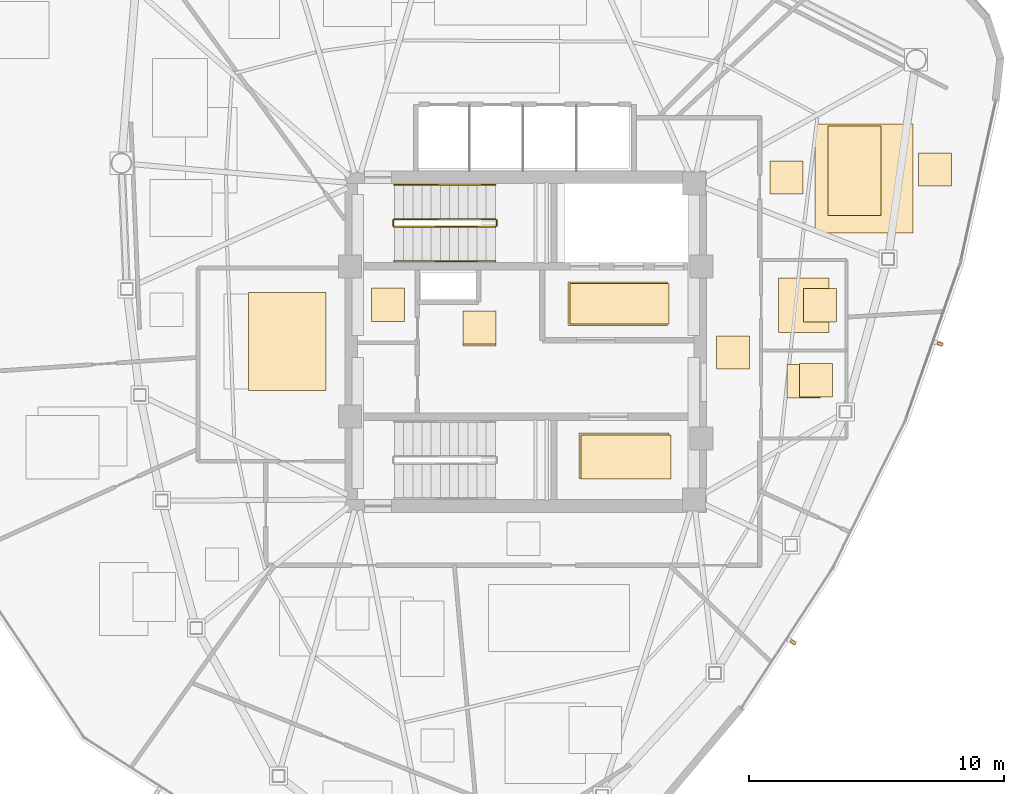
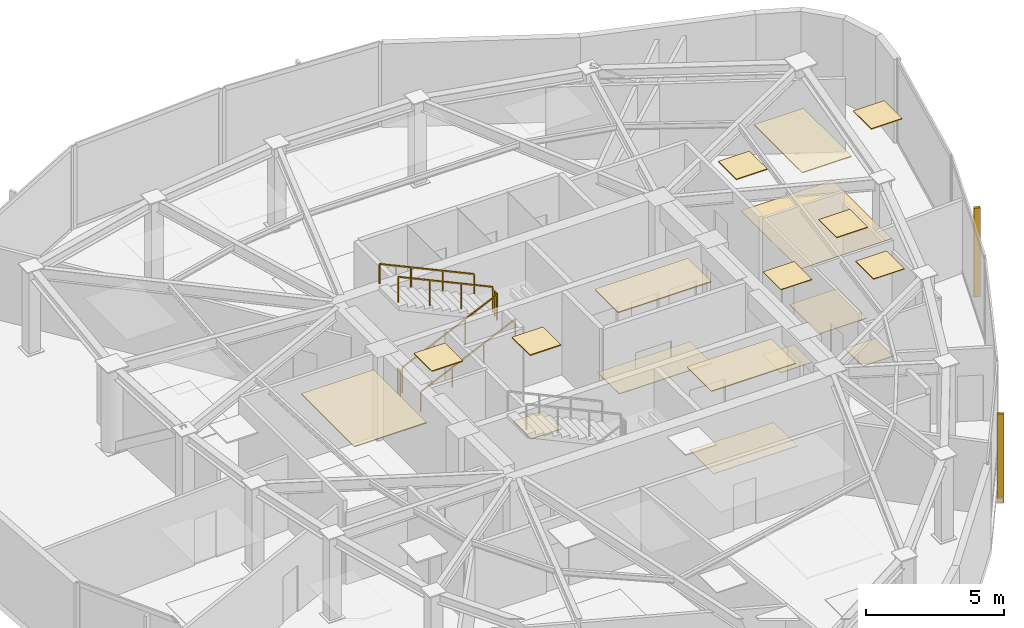
# One storey, part 12 of 13: 18 coverings, 6 railings, 2 shading devices.
"""IFC4 building model written with IfcOpenShell, lengths in metres."""

from ifc_helpers import new_model, si_unit, direction, frame, origin, origin_2d, place, context, subcontext, project, spatial, polyline, rectangle, outline, extrude, source, transform, mapped, material, layer, layer_set, type_object, type_shapes, element, save


model = new_model("IFC4")

# Units and contexts
model_context = context("Model", 3, precision=1e-05, world=origin(), true_north=direction((0.0, 1.0)))
body_context = subcontext(model_context, "Body", "Model", "MODEL_VIEW")
ifc_project = project(units=[si_unit("LENGTHUNIT", "METRE"), si_unit("AREAUNIT", "SQUARE_METRE"), si_unit("VOLUMEUNIT", "CUBIC_METRE"), si_unit("PLANEANGLEUNIT", "RADIAN"), si_unit("MASSUNIT", "GRAM", prefix="KILO")], contexts=[model_context])

# Site, building, storey
site_placement = place(None, origin())
site = spatial("IfcSite", under=ifc_project, at=site_placement, CompositionType="ELEMENT")
building_placement = place(site_placement, origin())
building = spatial("IfcBuilding", under=site, at=building_placement, Name="Tavelor Broadcast Tower", CompositionType="ELEMENT")
storey_placement = place(building_placement, frame((0.0, 0.0, 297.5)))
storey = spatial("IfcBuildingStorey", under=building, at=storey_placement, Name="L71", CompositionType="ELEMENT", Elevation=297.5)

# Coverings
ifc_material_1 = material(Name="Copper-Bronze Anodized Aluminium", Category="aluminium")
ifc_layer_1 = layer(ifc_material_1, 0.044921875)
ifc_layer_set_1 = layer_set([ifc_layer_1], Name="Copper-Bronze Anodized Aluminium")
covering_type_1 = type_object("IfcCoveringType", Name="Anodised Bronze Linear Slatted Concourse Ceiling 45 mm", PredefinedType="CEILING", material=ifc_layer_set_1)
covering_1_placement = place(storey_placement, frame((0.0, 0.0, 3.655029296875)))
element("IfcCovering", 1, at=covering_1_placement, inside=storey, type_object=covering_type_1, Name="L71 Suspended Acoustic Ceiling 2701", PredefinedType="CEILING", context=body_context, shape_type="SweptSolid", body=[
    extrude(outline(polyline([(51.659912109375, 45.6318359375), (55.55712890625, 45.6318359375), (55.55712890625, 47.328125), (51.659912109375, 47.328125), (51.659912109375, 45.6318359375)])), origin(), (0.0, 0.0, 1.0), 0.044921875),
])
covering_2_placement = place(storey_placement, frame((0.0, 0.0, 3.655029296875)))
element("IfcCovering", 2, at=covering_2_placement, inside=storey, type_object=covering_type_1, Name="L71 Suspended Acoustic Ceiling 2703", PredefinedType="CEILING", context=body_context, shape_type="SweptSolid", body=[
    extrude(outline(polyline([(47.5400390625, 44.89794921875), (48.840087890625, 44.89794921875), (48.840087890625, 46.197998046875), (47.5400390625, 46.197998046875), (47.5400390625, 44.89794921875)])), origin(), (0.0, 0.0, 1.0), 0.044921875),
])

# Railings
ifc_material_2 = material(Name="Steel S355", Category="steel")
railing_type_1 = type_object("IfcRailingType", Name="Continuous Brushed Stainless Handrail 900 mm", PredefinedType="HANDRAIL", material=ifc_material_2)
railing_1_placement = place(storey_placement, frame((44.85009765625, 48.14990234375, 0.166748046875)))
element("IfcRailing", 3, at=railing_1_placement, inside=storey, type_object=railing_type_1, Name="L71 ST1 stair handrail 1", PredefinedType="HANDRAIL", context=body_context, shape_type="SweptSolid", body=[
    extrude(rectangle(XDim=0.048095703125, YDim=0.048095703125, at=origin_2d()), frame((0.0, 0.0, 0.8759765625), z_axis=(0.907472437036, 0.0, 0.420111623286), x_axis=(0.0, 1.0, 0.0)), (0.0, 0.0, 1.0), 4.36376953125),
    extrude(rectangle(XDim=0.0419921875, YDim=0.0419921875, at=origin_2d()), origin(), (0.0, 0.0, 1.0), 0.851806640625),
    extrude(rectangle(XDim=0.0419921875, YDim=0.0419921875, at=origin_2d()), frame((1.320068359375, 0.0, 0.611083984375)), (0.0, 0.0, 1.0), 0.851806640625),
    extrude(rectangle(XDim=0.0419921875, YDim=0.0419921875, at=origin_2d()), frame((2.639892578125, 0.0, 1.22216796875)), (0.0, 0.0, 1.0), 0.851806640625),
    extrude(rectangle(XDim=0.0419921875, YDim=0.0419921875, at=origin_2d()), frame((3.9599609375, 0.0, 1.833251953125)), (0.0, 0.0, 1.0), 0.851806640625),
])
railing_2_placement = place(storey_placement, frame((48.81005859375, 51.14990234375, 2.166748046875)))
element("IfcRailing", 4, at=railing_2_placement, inside=storey, type_object=railing_type_1, Name="L71 ST1 stair handrail 2", PredefinedType="HANDRAIL", context=body_context, shape_type="SweptSolid", body=[
    extrude(rectangle(XDim=0.048095703125, YDim=0.048095703125, at=origin_2d()), frame((0.0, 0.0, 0.8759765625), z_axis=(-0.907472437036, 0.0, 0.420111623286), x_axis=(0.0, -1.0, 0.0)), (0.0, 0.0, 1.0), 4.36376953125),
    extrude(rectangle(XDim=0.0419921875, YDim=0.0419921875, at=origin_2d()), origin(), (0.0, 0.0, 1.0), 0.851806640625),
    extrude(rectangle(XDim=0.0419921875, YDim=0.0419921875, at=origin_2d()), frame((-1.320068359375, 0.0, 0.611083984375)), (0.0, 0.0, 1.0), 0.851806640625),
    extrude(rectangle(XDim=0.0419921875, YDim=0.0419921875, at=origin_2d()), frame((-2.639892578125, 0.0, 1.22216796875)), (0.0, 0.0, 1.0), 0.851806640625),
    extrude(rectangle(XDim=0.0419921875, YDim=0.0419921875, at=origin_2d()), frame((-3.9599609375, 0.0, 1.833251953125)), (0.0, 0.0, 1.0), 0.851806640625),
])

# Coverings
ifc_material_3 = material(Name="Architectural Anodized Aluminium", Category="aluminium")
ifc_layer_2 = layer(ifc_material_3, 0.034912109375)
ifc_layer_set_2 = layer_set([ifc_layer_2], Name="Architectural Anodized Aluminium")
covering_type_2 = type_object("IfcCoveringType", Name="Demountable Metal Tile Corridor Ceiling 35 mm", PredefinedType="CEILING", material=ifc_layer_set_2)
covering_3_placement = place(storey_placement, frame((0.0, 0.0, 3.6650390625)))
element("IfcCovering", 5, at=covering_3_placement, inside=storey, type_object=covering_type_2, Name="L71 Suspended Acoustic Ceiling 2705", PredefinedType="CEILING", context=body_context, shape_type="SweptSolid", body=[
    extrude(outline(polyline([(57.489990234375, 43.925048828125), (58.7900390625, 43.925048828125), (58.7900390625, 45.22509765625), (57.489990234375, 45.22509765625), (57.489990234375, 43.925048828125)])), origin(), (0.0, 0.0, 1.0), 0.034912109375),
])
ifc_material_4 = material(Name="Acoustic Nylon Carpet Tile")
ifc_layer_3 = layer(ifc_material_4, 0.02001953125)
ifc_layer_set_3 = layer_set([ifc_layer_3], Name="Acoustic Nylon Carpet Tile")
covering_type_3 = type_object("IfcCoveringType", Name="Heavy-Duty Acoustic Broadcast Carpet Tile 20 mm", PredefinedType="FLOORING", material=ifc_layer_set_3)
covering_4_placement = place(storey_placement, origin())
element("IfcCovering", 6, at=covering_4_placement, inside=storey, type_object=covering_type_3, Name="L71 Broadcast Floor Finish 1055", PredefinedType="FLOORING", context=body_context, shape_type="SweptSolid", body=[
    extrude(outline(polyline([(52.176025390625, 39.611328125), (55.694091796875, 39.611328125), (55.694091796875, 41.341552734375), (52.176025390625, 41.341552734375), (52.176025390625, 39.611328125)])), origin(), (0.0, 0.0, 1.0), 0.02001953125),
])
covering_5_placement = place(storey_placement, origin())
element("IfcCovering", 7, at=covering_5_placement, inside=storey, type_object=covering_type_3, Name="L71 Broadcast Floor Finish 1057", PredefinedType="FLOORING", context=body_context, shape_type="SweptSolid", body=[
    extrude(outline(polyline([(57.489990234375, 43.925048828125), (58.7900390625, 43.925048828125), (58.7900390625, 45.22509765625), (57.489990234375, 45.22509765625), (57.489990234375, 43.925048828125)])), origin(), (0.0, 0.0, 1.0), 0.02001953125),
])
covering_6_placement = place(storey_placement, origin())
element("IfcCovering", 8, at=covering_6_placement, inside=storey, type_object=covering_type_3, Name="L71 Broadcast Floor Finish 1067", PredefinedType="FLOORING", context=body_context, shape_type="SweptSolid", body=[
    extrude(outline(polyline([(61.353515625, 49.24951171875), (65.205810546875, 49.24951171875), (65.205810546875, 53.528564453125), (61.353515625, 53.528564453125), (61.353515625, 49.24951171875)])), origin(), (0.0, 0.0, 1.0), 0.02001953125),
])
ifc_material_5 = material(Name="Honed Natural Limestone Tile", Category="masonry")
ifc_layer_4 = layer(ifc_material_5, 0.030029296875)
ifc_layer_set_4 = layer_set([ifc_layer_4], Name="Honed Natural Limestone Tile")
covering_type_4 = type_object("IfcCoveringType", Name="Honed Jerusalem Limestone Concourse Flooring 30 mm", PredefinedType="FLOORING", material=ifc_layer_set_4)
covering_7_placement = place(storey_placement, origin())
element("IfcCovering", 9, at=covering_7_placement, inside=storey, type_object=covering_type_4, Name="L71 Broadcast Floor Finish 1054", PredefinedType="FLOORING", context=body_context, shape_type="SweptSolid", body=[
    extrude(outline(polyline([(51.7373046875, 45.689453125), (55.62255859375, 45.689453125), (55.62255859375, 47.2705078125), (51.7373046875, 47.2705078125), (51.7373046875, 45.689453125)])), origin(), (0.0, 0.0, 1.0), 0.030029296875),
])
covering_8_placement = place(storey_placement, origin())
element("IfcCovering", 10, at=covering_8_placement, inside=storey, type_object=covering_type_4, Name="L71 Broadcast Floor Finish 1056", PredefinedType="FLOORING", context=body_context, shape_type="SweptSolid", body=[
    extrude(outline(polyline([(47.5400390625, 44.818115234375), (48.840087890625, 44.818115234375), (48.840087890625, 46.117919921875), (47.5400390625, 46.117919921875), (47.5400390625, 44.818115234375)])), origin(), (0.0, 0.0, 1.0), 0.030029296875),
])
ifc_layer_5 = layer(ifc_material_3, 0.030029296875)
ifc_layer_set_5 = layer_set([ifc_layer_5], Name="Architectural Anodized Aluminium")
covering_type_5 = type_object("IfcCoveringType", Name="Moisture-Resistant Washroom Ceiling 30 mm", PredefinedType="CEILING", material=ifc_layer_set_5)
covering_9_placement = place(storey_placement, frame((0.0, 0.0, 3.669921875)))
element("IfcCovering", 11, at=covering_9_placement, inside=storey, type_object=covering_type_5, Name="L71 Suspended Acoustic Ceiling 2708", PredefinedType="CEILING", context=body_context, shape_type="SweptSolid", body=[
    extrude(outline(polyline([(60.73388671875, 42.831787109375), (62.03369140625, 42.831787109375), (62.03369140625, 44.131591796875), (60.73388671875, 44.131591796875), (60.73388671875, 42.831787109375)])), origin(), (0.0, 0.0, 1.0), 0.030029296875),
])
covering_10_placement = place(storey_placement, frame((0.0, 0.0, 3.669921875)))
element("IfcCovering", 12, at=covering_10_placement, inside=storey, type_object=covering_type_5, Name="L71 Suspended Acoustic Ceiling 2709", PredefinedType="CEILING", context=body_context, shape_type="SweptSolid", body=[
    extrude(outline(polyline([(60.8916015625, 45.77490234375), (62.19140625, 45.77490234375), (62.19140625, 47.074951171875), (60.8916015625, 47.074951171875), (60.8916015625, 45.77490234375)])), origin(), (0.0, 0.0, 1.0), 0.030029296875),
])
ifc_material_6 = material(Name="Slip-Resistant Porcelain Tile")
ifc_layer_6 = layer(ifc_material_6, 0.02490234375)
ifc_layer_set_6 = layer_set([ifc_layer_6], Name="Slip-Resistant Porcelain Tile")
covering_type_6 = type_object("IfcCoveringType", Name="Slip-Resistant Porcelain Wet-Area Floor Tile 25 mm", PredefinedType="FLOORING", material=ifc_layer_set_6)
covering_11_placement = place(storey_placement, origin())
element("IfcCovering", 13, at=covering_11_placement, inside=storey, type_object=covering_type_6, Name="L71 Broadcast Floor Finish 1059", PredefinedType="FLOORING", context=body_context, shape_type="SweptSolid", body=[
    extrude(outline(polyline([(60.260009765625, 42.791748046875), (61.56005859375, 42.791748046875), (61.56005859375, 44.091796875), (60.260009765625, 44.091796875), (60.260009765625, 42.791748046875)])), origin(), (0.0, 0.0, 1.0), 0.02490234375),
])
covering_12_placement = place(storey_placement, origin())
element("IfcCovering", 14, at=covering_12_placement, inside=storey, type_object=covering_type_6, Name="L71 Broadcast Floor Finish 1060", PredefinedType="FLOORING", context=body_context, shape_type="SweptSolid", body=[
    extrude(outline(polyline([(59.91064453125, 45.35009765625), (61.909423828125, 45.35009765625), (61.909423828125, 47.5), (59.91064453125, 47.5), (59.91064453125, 45.35009765625)])), origin(), (0.0, 0.0, 1.0), 0.02490234375),
])

# Railings
railing_type_2 = type_object("IfcRailingType", Name="Stairwell Steel Safety Guardrail 1150 mm", PredefinedType="GUARDRAIL", material=ifc_material_2)
railing_3_placement = place(storey_placement, frame((44.85009765625, 49.5, 0.166748046875)))
element("IfcRailing", 15, at=railing_3_placement, inside=storey, type_object=railing_type_2, Name="L71 ST1 stair guard 1", PredefinedType="GUARDRAIL", context=body_context, shape_type="SweptSolid", body=[
    extrude(rectangle(XDim=0.048095703125, YDim=0.048095703125, at=origin_2d()), frame((0.0, 0.0, 1.1259765625), z_axis=(0.907472437036, 0.0, 0.420111623286), x_axis=(0.0, 1.0, 0.0)), (0.0, 0.0, 1.0), 4.36376953125),
    extrude(rectangle(XDim=0.0419921875, YDim=0.0419921875, at=origin_2d()), origin(), (0.0, 0.0, 1.0), 1.101806640625),
    extrude(rectangle(XDim=0.0419921875, YDim=0.0419921875, at=origin_2d()), frame((1.320068359375, 0.0, 0.611083984375)), (0.0, 0.0, 1.0), 1.101806640625),
    extrude(rectangle(XDim=0.0419921875, YDim=0.0419921875, at=origin_2d()), frame((2.639892578125, 0.0, 1.22216796875)), (0.0, 0.0, 1.0), 1.101806640625),
    extrude(rectangle(XDim=0.0419921875, YDim=0.0419921875, at=origin_2d()), frame((3.9599609375, 0.0, 1.833251953125)), (0.0, 0.0, 1.0), 1.101806640625),
])
railing_4_placement = place(storey_placement, frame((48.860107421875, 49.550048828125, 2.0)))
element("IfcRailing", 16, at=railing_4_placement, inside=storey, type_object=railing_type_2, Name="L71 ST1 stair guard 2", PredefinedType="GUARDRAIL", context=body_context, shape_type="SweptSolid", body=[
    extrude(rectangle(XDim=0.048095703125, YDim=0.048095703125, at=origin_2d()), frame((0.0, 0.0, 1.1259765625), z_axis=(0.0, 1.0, 0.0), x_axis=(-1.0, 0.0, 0.0)), (0.0, 0.0, 1.0), 0.199951171875),
    extrude(rectangle(XDim=0.0419921875, YDim=0.0419921875, at=origin_2d()), origin(), (0.0, 0.0, 1.0), 1.101806640625),
    extrude(rectangle(XDim=0.0419921875, YDim=0.0419921875, at=origin_2d()), frame((0.0, 0.199951171875, 0.0)), (0.0, 0.0, 1.0), 1.101806640625),
])
railing_5_placement = place(storey_placement, frame((48.81005859375, 49.800048828125, 2.166748046875)))
element("IfcRailing", 17, at=railing_5_placement, inside=storey, type_object=railing_type_2, Name="L71 ST1 stair guard 3", PredefinedType="GUARDRAIL", context=body_context, shape_type="SweptSolid", body=[
    extrude(rectangle(XDim=0.048095703125, YDim=0.048095703125, at=origin_2d()), frame((0.0, 0.0, 1.1259765625), z_axis=(-0.907472437036, 0.0, 0.420111623286), x_axis=(0.0, -1.0, 0.0)), (0.0, 0.0, 1.0), 4.36376953125),
    extrude(rectangle(XDim=0.0419921875, YDim=0.0419921875, at=origin_2d()), origin(), (0.0, 0.0, 1.0), 1.101806640625),
    extrude(rectangle(XDim=0.0419921875, YDim=0.0419921875, at=origin_2d()), frame((-1.320068359375, 0.0, 0.611083984375)), (0.0, 0.0, 1.0), 1.101806640625),
    extrude(rectangle(XDim=0.0419921875, YDim=0.0419921875, at=origin_2d()), frame((-2.639892578125, 0.0, 1.22216796875)), (0.0, 0.0, 1.0), 1.101806640625),
    extrude(rectangle(XDim=0.0419921875, YDim=0.0419921875, at=origin_2d()), frame((-3.9599609375, 0.0, 1.833251953125)), (0.0, 0.0, 1.0), 1.101806640625),
])
railing_6_placement = place(storey_placement, frame((44.800048828125, 49.550048828125, 0.0)))
element("IfcRailing", 18, at=railing_6_placement, inside=storey, type_object=railing_type_2, Name="L71 ST1 stair guard 4", PredefinedType="GUARDRAIL", context=body_context, shape_type="SweptSolid", body=[
    extrude(rectangle(XDim=0.048095703125, YDim=0.048095703125, at=origin_2d()), frame((0.0, 0.0, 1.1259765625), z_axis=(0.0, 1.0, 0.0), x_axis=(-1.0, 0.0, 0.0)), (0.0, 0.0, 1.0), 0.199951171875),
    extrude(rectangle(XDim=0.0419921875, YDim=0.0419921875, at=origin_2d()), origin(), (0.0, 0.0, 1.0), 1.101806640625),
    extrude(rectangle(XDim=0.0419921875, YDim=0.0419921875, at=origin_2d()), frame((0.0, 0.199951171875, 0.0)), (0.0, 0.0, 1.0), 1.101806640625),
])

# Coverings
ifc_material_7 = material(Name="Acoustic Mineral Fibre Tile")
ifc_layer_7 = layer(ifc_material_7, 0.0400390625)
ifc_layer_set_7 = layer_set([ifc_layer_7], Name="Acoustic Mineral Fibre Tile")
covering_type_7 = type_object("IfcCoveringType", Name="Suspended Acoustic Mineral-Fibre Office Ceiling 40 mm", PredefinedType="CEILING", material=ifc_layer_set_7)
covering_13_placement = place(storey_placement, frame((0.0, 0.0, 3.659912109375)))
element("IfcCovering", 19, at=covering_13_placement, inside=storey, type_object=covering_type_7, Name="L71 Suspended Acoustic Ceiling 2702", PredefinedType="CEILING", context=body_context, shape_type="SweptSolid", body=[
    extrude(outline(polyline([(52.098388671875, 39.62255859375), (55.628662109375, 39.62255859375), (55.628662109375, 41.410400390625), (52.098388671875, 41.410400390625), (52.098388671875, 39.62255859375)])), origin(), (0.0, 0.0, 1.0), 0.0400390625),
])
covering_14_placement = place(storey_placement, frame((0.0, 0.0, 3.659912109375)))
element("IfcCovering", 20, at=covering_14_placement, inside=storey, type_object=covering_type_7, Name="L71 Suspended Acoustic Ceiling 2704", PredefinedType="CEILING", context=body_context, shape_type="SweptSolid", body=[
    extrude(outline(polyline([(43.951416015625, 45.794921875), (45.25146484375, 45.794921875), (45.25146484375, 47.094970703125), (43.951416015625, 47.094970703125), (43.951416015625, 45.794921875)])), origin(), (0.0, 0.0, 1.0), 0.0400390625),
])
covering_15_placement = place(storey_placement, frame((0.0, 0.0, 3.659912109375)))
element("IfcCovering", 21, at=covering_15_placement, inside=storey, type_object=covering_type_7, Name="L71 Suspended Acoustic Ceiling 2707", PredefinedType="CEILING", context=body_context, shape_type="SweptSolid", body=[
    extrude(outline(polyline([(39.130615234375, 43.0712890625), (42.16748046875, 43.0712890625), (42.16748046875, 46.927978515625), (39.130615234375, 46.927978515625), (39.130615234375, 43.0712890625)])), origin(), (0.0, 0.0, 1.0), 0.0400390625),
])
covering_16_placement = place(storey_placement, frame((0.0, 0.0, 3.659912109375)))
element("IfcCovering", 22, at=covering_16_placement, inside=storey, type_object=covering_type_7, Name="L71 Suspended Acoustic Ceiling 2725", PredefinedType="CEILING", context=body_context, shape_type="SweptSolid", body=[
    extrude(outline(polyline([(61.864501953125, 49.95068359375), (63.933837890625, 49.95068359375), (63.933837890625, 53.45166015625), (61.864501953125, 53.45166015625), (61.864501953125, 49.95068359375)])), origin(), (0.0, 0.0, 1.0), 0.0400390625),
])
covering_17_placement = place(storey_placement, frame((0.0, 0.0, 3.659912109375)))
element("IfcCovering", 23, at=covering_17_placement, inside=storey, type_object=covering_type_7, Name="L71 Suspended Acoustic Ceiling 2726", PredefinedType="CEILING", context=body_context, shape_type="SweptSolid", body=[
    extrude(outline(polyline([(65.411865234375, 51.099853515625), (66.7119140625, 51.099853515625), (66.7119140625, 52.39990234375), (65.411865234375, 52.39990234375), (65.411865234375, 51.099853515625)])), origin(), (0.0, 0.0, 1.0), 0.0400390625),
])
covering_18_placement = place(storey_placement, frame((0.0, 0.0, 3.659912109375)))
element("IfcCovering", 24, at=covering_18_placement, inside=storey, type_object=covering_type_7, Name="L71 Suspended Acoustic Ceiling 2727", PredefinedType="CEILING", context=body_context, shape_type="SweptSolid", body=[
    extrude(outline(polyline([(59.5791015625, 50.781494140625), (60.879150390625, 50.781494140625), (60.879150390625, 52.081298828125), (59.5791015625, 52.081298828125), (59.5791015625, 50.781494140625)])), origin(), (0.0, 0.0, 1.0), 0.0400390625),
])

# Shading devices
ifc_material_8 = material(Name="Kiln-Fired Glazed Terracotta", Category="masonry")
shading_device_type = type_object("IfcShadingDeviceType", Name="Extruded Terracotta Baguette Sun-Screen 110x240", PredefinedType="JALOUSIE", material=ifc_material_8)
shared_shape = source(origin(), body_context, "Body", "SweptSolid", [
    extrude(rectangle(XDim=0.110107421875, YDim=0.239990234375, at=origin_2d()), origin(), (0.0, 0.0, 1.0), 3.93994140625),
])
type_shapes(shading_device_type, [shared_shape])
for number, where, z_axis, x_axis, name in (
    (25, (60.495361328125, 33.1962890625, -0.260009765625), (0.0, 0.0, 1.0), (0.547125019684, 0.837050902177, 0.0), "L71 Terracotta Baguette Fin 699"),
    (26, (66.263427734375, 44.906005859375, -0.260009765625), (0.0, 0.0, 1.0), (0.330020174407, 0.943973879132, 0.0), "L71 Terracotta Baguette Fin 700"),
):
    element("IfcShadingDevice", number, at=place(storey_placement, frame(where, z_axis=z_axis, x_axis=x_axis)), inside=storey, type_object=shading_device_type, Name=name, PredefinedType="JALOUSIE", context=body_context, shape_type="MappedRepresentation", body=[
        mapped(shared_shape, transform((0.0, 0.0, 0.0), scale=1.0)),
    ])

save(model, "model.ifc")
